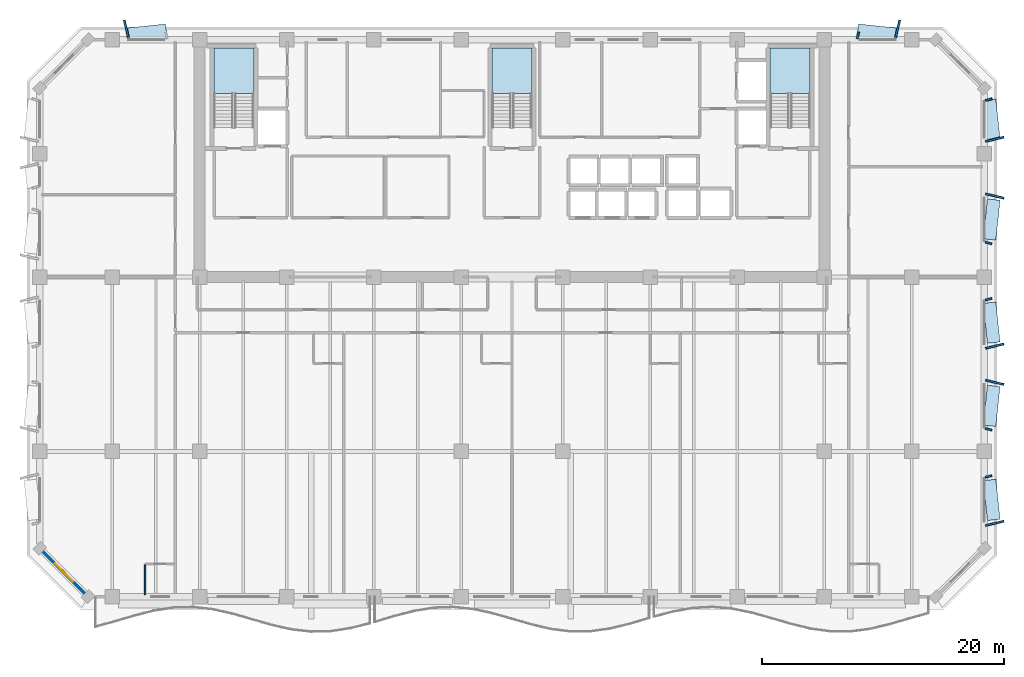
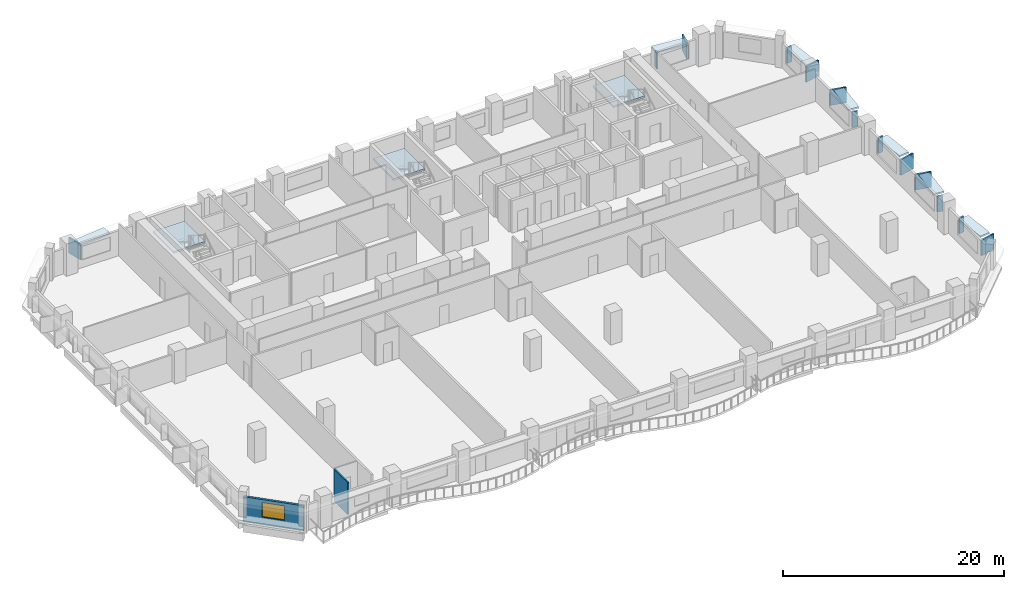
# One storey, part 3 of 14: 20 plates, 3 slabs, 2 walls, 1 window, 1 opening, 3 elements without a shape of their own.
"""IFC4 building model written with IfcOpenShell, lengths in metres."""

from ifc_helpers import new_model, si_unit, direction, frame, frame_2d, origin, origin_2d, place, context, subcontext, project, spatial, polyline, rectangle, outline, extrude, material, layer, layer_set, type_object, element, fill, aggregate, save


model = new_model("IFC4")

# Units and contexts
model_context = context("Model", 3, precision=1e-05, world=origin(), true_north=direction((0.0, 1.0)))
body_context = subcontext(model_context, "Body", "Model", "MODEL_VIEW")
ifc_project = project(units=[si_unit("LENGTHUNIT", "METRE"), si_unit("AREAUNIT", "SQUARE_METRE"), si_unit("VOLUMEUNIT", "CUBIC_METRE"), si_unit("PLANEANGLEUNIT", "RADIAN"), si_unit("MASSUNIT", "GRAM", prefix="KILO")], contexts=[model_context])

# Site, building, storey
site_placement = place(None, origin())
site = spatial("IfcSite", under=ifc_project, at=site_placement, CompositionType="ELEMENT")
building_placement = place(site_placement, origin())
building = spatial("IfcBuilding", under=site, at=building_placement, Name="Kaelvorn Grand Hotel", CompositionType="ELEMENT")
storey_placement = place(building_placement, frame((0.0, 0.0, 212.949951171875)))
storey = spatial("IfcBuildingStorey", under=building, at=storey_placement, Name="L52", CompositionType="ELEMENT", Elevation=212.949951171875)

# Plates
ifc_material_1 = material(Name="Precast concrete C45/55", Category="concrete")
ifc_layer_1 = layer(ifc_material_1, 0.159912109375)
ifc_layer_set_1 = layer_set([ifc_layer_1], Name="Precast concrete C45/55")
plate_type_1 = type_object("IfcPlateType", Name="PL-FRAME-DEEP-1550", PredefinedType="USERDEFINED", material=ifc_layer_set_1)
for number, where, z_axis, x_axis, name in (
    (1, (81.85498046875, 9.06005859375, 0.81494140625), (0.0, 0.0, 1.0), (-0.233445363856, 0.972369920398, 0.0), "L52 Tilted Precast Window Frame Fin L-E01"),
    (2, (81.85498046875, 20.705078125, 0.81494140625), (0.0, 0.0, 1.0), (0.233445363856, 0.972369920398, 0.0), "L52 Tilted Precast Window Frame Fin R-E02"),
    (3, (81.85498046875, 23.695068359375, 0.81494140625), (0.0, 0.0, 1.0), (-0.233445363856, 0.972369920398, 0.0), "L52 Tilted Precast Window Frame Fin L-E03"),
    (4, (81.85498046875, 36.090087890625, 0.81494140625), (0.0, 0.0, 1.0), (0.233445363856, 0.972369920398, 0.0), "L52 Tilted Precast Window Frame Fin R-E04"),
    (5, (81.85498046875, 40.77490234375, 0.740234375), (0.0, 0.0, 1.0), (-0.233445363856, 0.972369920398, 0.0), "L52 Tilted Precast Window Frame Fin L-E05"),
    (6, (10.159912109375, 49.85498046875, 0.740234375), (0.0, 0.0, 1.0), (0.972369920398, 0.233445363856, 0.0), "L52 Tilted Precast Window Frame Fin L-N01"),
    (7, (73.840087890625, 49.85498046875, 0.740234375), (0.0, 0.0, 1.0), (0.972369920398, -0.233445363856, 0.0), "L52 Tilted Precast Window Frame Fin R-N02"),
):
    element("IfcPlate", number, at=place(storey_placement, frame(where, z_axis=z_axis, x_axis=x_axis)), inside=storey, type_object=plate_type_1, Name=name, ObjectType="FLANGE_PLATE", PredefinedType="USERDEFINED", context=body_context, shape_type="SweptSolid", body=[
        extrude(rectangle(XDim=0.159912109375, YDim=1.550048828125, at=origin_2d()), origin(), (0.0, 0.0, 1.0), 1.719970703125),
    ])
ifc_layer_2 = layer(ifc_material_1, 0.159912109375)
ifc_layer_set_2 = layer_set([ifc_layer_2], Name="Precast concrete C45/55")
plate_type_2 = type_object("IfcPlateType", Name="PL-FRAME-HEAD-1050", PredefinedType="USERDEFINED", material=ifc_layer_set_2)
for number, where, z_axis, x_axis, name in (
    (8, (81.60498046875, 11.0, 2.5), (0.0, 0.0, 1.0), (-0.105830199459, 0.994384215926, 0.0), "L52 Precast Window Frame Head Hood H-E01"),
    (9, (81.60498046875, 18.764892578125, 2.5), (0.0, 0.0, 1.0), (0.105830199459, 0.994384215926, 0.0), "L52 Precast Window Frame Head Hood H-E02"),
    (10, (81.60498046875, 25.635009765625, 2.5), (0.0, 0.0, 1.0), (-0.105830199459, 0.994384215926, 0.0), "L52 Precast Window Frame Head Hood H-E03"),
    (11, (81.60498046875, 34.14990234375, 2.5), (0.0, 0.0, 1.0), (0.105830199459, 0.994384215926, 0.0), "L52 Precast Window Frame Head Hood H-E04"),
    (12, (81.60498046875, 42.4150390625, 2.35009765625), (0.0, 0.0, 1.0), (-0.105830199459, 0.994384215926, 0.0), "L52 Precast Window Frame Head Hood H-E05"),
    (13, (11.800048828125, 49.60498046875, 2.35009765625), (0.0, 0.0, 1.0), (0.994384215926, 0.105830199459, 0.0), "L52 Precast Window Frame Head Hood H-N01"),
    (14, (72.199951171875, 49.60498046875, 2.35009765625), (0.0, 0.0, 1.0), (0.994384215926, -0.105830199459, 0.0), "L52 Precast Window Frame Head Hood H-N02"),
):
    element("IfcPlate", number, at=place(storey_placement, frame(where, z_axis=z_axis, x_axis=x_axis)), inside=storey, type_object=plate_type_2, Name=name, ObjectType="FLANGE_PLATE", PredefinedType="USERDEFINED", context=body_context, shape_type="SweptSolid", body=[
        extrude(rectangle(XDim=3.320068359375, YDim=1.050048828125, at=origin_2d()), origin(), (0.0, 0.0, 1.0), 0.159912109375),
    ])
ifc_layer_3 = layer(ifc_material_1, 0.159912109375)
ifc_layer_set_3 = layer_set([ifc_layer_3], Name="Precast concrete C45/55")
plate_type_3 = type_object("IfcPlateType", Name="PL-FRAME-SHAL-550", PredefinedType="USERDEFINED", material=ifc_layer_set_3)
for number, where, z_axis, x_axis, name in (
    (15, (81.35498046875, 12.93994140625, 0.81494140625), (0.0, 0.0, 1.0), (-0.233445363856, 0.972369920398, 0.0), "L52 Tilted Precast Window Frame Fin R-E01"),
    (16, (81.35498046875, 16.824951171875, 0.81494140625), (0.0, 0.0, 1.0), (0.233445363856, 0.972369920398, 0.0), "L52 Tilted Precast Window Frame Fin L-E02"),
    (17, (81.35498046875, 27.574951171875, 0.81494140625), (0.0, 0.0, 1.0), (-0.233445363856, 0.972369920398, 0.0), "L52 Tilted Precast Window Frame Fin R-E03"),
    (18, (81.35498046875, 32.2099609375, 0.81494140625), (0.0, 0.0, 1.0), (0.233445363856, 0.972369920398, 0.0), "L52 Tilted Precast Window Frame Fin L-E04"),
    (19, (81.35498046875, 44.054931640625, 0.740234375), (0.0, 0.0, 1.0), (-0.233445363856, 0.972369920398, 0.0), "L52 Tilted Precast Window Frame Fin R-E05"),
    (20, (70.56005859375, 49.35498046875, 0.740234375), (0.0, 0.0, 1.0), (0.972369920398, -0.233445363856, 0.0), "L52 Tilted Precast Window Frame Fin L-N02"),
):
    element("IfcPlate", number, at=place(storey_placement, frame(where, z_axis=z_axis, x_axis=x_axis)), inside=storey, type_object=plate_type_3, Name=name, ObjectType="FLANGE_PLATE", PredefinedType="USERDEFINED", context=body_context, shape_type="SweptSolid", body=[
        extrude(rectangle(XDim=0.159912109375, YDim=0.550048828125, at=origin_2d()), origin(), (0.0, 0.0, 1.0), 1.719970703125),
    ])

# Stair, slab
ifc_material_2 = material(Name="Concrete C40/50", Category="concrete")
stair_type = type_object("IfcStairType", Name="STR-DOG-1560-R08", PredefinedType="HALF_TURN_STAIR", material=ifc_material_2)
stair_1_placement = place(storey_placement, origin())
stair_1 = element("IfcStair", 21, at=stair_1_placement, inside=storey, type_object=stair_type, Name="L52 West Core Exit Stair ST1", PredefinedType="HALF_TURN_STAIR")
ifc_layer_4 = layer(ifc_material_2, 0.199951171875)
ifc_layer_set_4 = layer_set([ifc_layer_4], Name="Concrete C40/50")
slab_type = type_object("IfcSlabType", Name="SLB-LAND-200-C40", PredefinedType="LANDING", material=ifc_layer_set_4)
slab_1_placement = place(storey_placement, frame((0.0, 0.0, 1.699951171875)))
slab_1 = element("IfcSlab", 22, at=slab_1_placement, type_object=slab_type, Name="ST1 landing 1", PredefinedType="LANDING", context=body_context, shape_type="SweptSolid", body=[
    extrude(outline(polyline([(20.679931640625, 44.56005859375), (20.679931640625, 48.300048828125), (17.39990234375, 48.300048828125), (17.39990234375, 44.56005859375), (20.679931640625, 44.56005859375)])), origin(), (0.0, 0.0, 1.0), 0.2001953125),
])
aggregate(stair_1, [slab_1])

stair_2_placement = place(storey_placement, origin())
stair_2 = element("IfcStair", 23, at=stair_2_placement, inside=storey, type_object=stair_type, Name="L52 Central Core Exit Stair ST2", PredefinedType="HALF_TURN_STAIR")
slab_2_placement = place(storey_placement, frame((0.0, 0.0, 1.699951171875)))
slab_2 = element("IfcSlab", 24, at=slab_2_placement, type_object=slab_type, Name="ST2 landing 1", PredefinedType="LANDING", context=body_context, shape_type="SweptSolid", body=[
    extrude(outline(polyline([(43.639892578125, 44.56005859375), (43.639892578125, 48.300048828125), (40.360107421875, 48.300048828125), (40.360107421875, 44.56005859375), (43.639892578125, 44.56005859375)])), origin(), (0.0, 0.0, 1.0), 0.2001953125),
])
aggregate(stair_2, [slab_2])

stair_3_placement = place(storey_placement, origin())
stair_3 = element("IfcStair", 25, at=stair_3_placement, inside=storey, type_object=stair_type, Name="L52 East Core Exit Stair ST3", PredefinedType="HALF_TURN_STAIR")
slab_3_placement = place(storey_placement, frame((0.0, 0.0, 1.699951171875)))
slab_3 = element("IfcSlab", 26, at=slab_3_placement, type_object=slab_type, Name="ST3 landing 1", PredefinedType="LANDING", context=body_context, shape_type="SweptSolid", body=[
    extrude(outline(polyline([(66.60009765625, 44.56005859375), (66.60009765625, 48.300048828125), (63.320068359375, 48.300048828125), (63.320068359375, 44.56005859375), (66.60009765625, 44.56005859375)])), origin(), (0.0, 0.0, 1.0), 0.2001953125),
])
aggregate(stair_3, [slab_3])

# Wall, opening, window
ifc_layer_5 = layer(ifc_material_2, 0.239990234375)
ifc_layer_set_5 = layer_set([ifc_layer_5], Name="Concrete C40/50")
wall_type_1 = type_object("IfcWallType", Name="WL-EXT-240-C40", PredefinedType="SOLIDWALL", material=ifc_layer_set_5)
wall_1_placement = place(storey_placement, frame((3.0, 7.0, 0.0), z_axis=(0.0, 0.0, 1.0), x_axis=(0.707106781187, -0.707106781187, 0.0)))
wall_1 = element("IfcWall", 27, at=wall_1_placement, inside=storey, type_object=wall_type_1, Name="L52 Exterior Architectural Concrete Wall 08", PredefinedType="SOLIDWALL", context=body_context, shape_type="SweptSolid", body=[
    extrude(rectangle(XDim=5.65673828125, YDim=0.239990234375, at=frame_2d((2.828369140625, 0.0))), origin(), (0.0, 0.0, 1.0), 2.760009765625),
])
opening_placement = place(wall_1_placement, frame((1.7783203125, 0.0, 0.85009765625)))
opening = element("IfcOpeningElement", 28, at=opening_placement, cuts=wall_1, Name="Opening W7", PredefinedType="OPENING", context=body_context, shape_type="SweptSolid", body=[
    extrude(rectangle(XDim=2.10009765625, YDim=1.60009765625, at=frame_2d((1.050048828125, 0.800048828125))), frame((0.0, 0.1298828125, 0.0), z_axis=(0.0, -1.0, 0.0), x_axis=(1.0, 0.0, 0.0)), (0.0, 0.0, 1.0), 0.260009765625),
])
ifc_material_3 = material(Name="Laminated Low-E Glass", Category="glass")
window_type = type_object("IfcWindowType", Name="WIN-CHM-2100x1600", PartitioningType="SINGLE_PANEL", PredefinedType="WINDOW", material=ifc_material_3)
window_placement = place(opening_placement, origin())
window = element("IfcWindow", 29, at=window_placement, inside=storey, type_object=window_type, Name="L52 Chamfered 45-Degree Corner Window SW", OverallHeight=1.60009765625, OverallWidth=2.10009765625, PartitioningType="SINGLE_PANEL", PredefinedType="WINDOW", context=body_context, shape_type="SweptSolid", body=[
    extrude(rectangle(XDim=2.10009765625, YDim=1.60009765625, at=frame_2d((1.050048828125, 0.800048828125))), frame((0.0, 0.030029296875, 0.0), z_axis=(0.0, -1.0, 0.0), x_axis=(1.0, 0.0, 0.0)), (0.0, 0.0, 1.0), 0.06005859375),
])
fill(opening, window)

# Wall
ifc_material_4 = material(Name="Moisture-Resistant Tile & Stud Board")
ifc_layer_6 = layer(ifc_material_4, 0.125)
ifc_layer_set_6 = layer_set([ifc_layer_6], Name="Moisture-Resistant Tile & Stud Board")
wall_type_2 = type_object("IfcWallType", Name="WL-PART-125-WET", PredefinedType="PARTITIONING", material=ifc_layer_set_6)
wall_2_placement = place(storey_placement, frame((11.699951171875, 3.14990234375, 0.0), z_axis=(0.0, 0.0, 1.0), x_axis=(0.0, 1.0, 0.0)))
element("IfcWall", 30, at=wall_2_placement, inside=storey, type_object=wall_type_2, Name="L52 En-suite Bathroom L52-05 W Partition", PredefinedType="PARTITIONING", context=body_context, shape_type="SweptSolid", body=[
    extrude(rectangle(XDim=2.482666015625, YDim=0.125, at=frame_2d((1.2412109375, 0.0))), origin(), (0.0, 0.0, 1.0), 3.56005859375),
])

save(model, "model.ifc")
